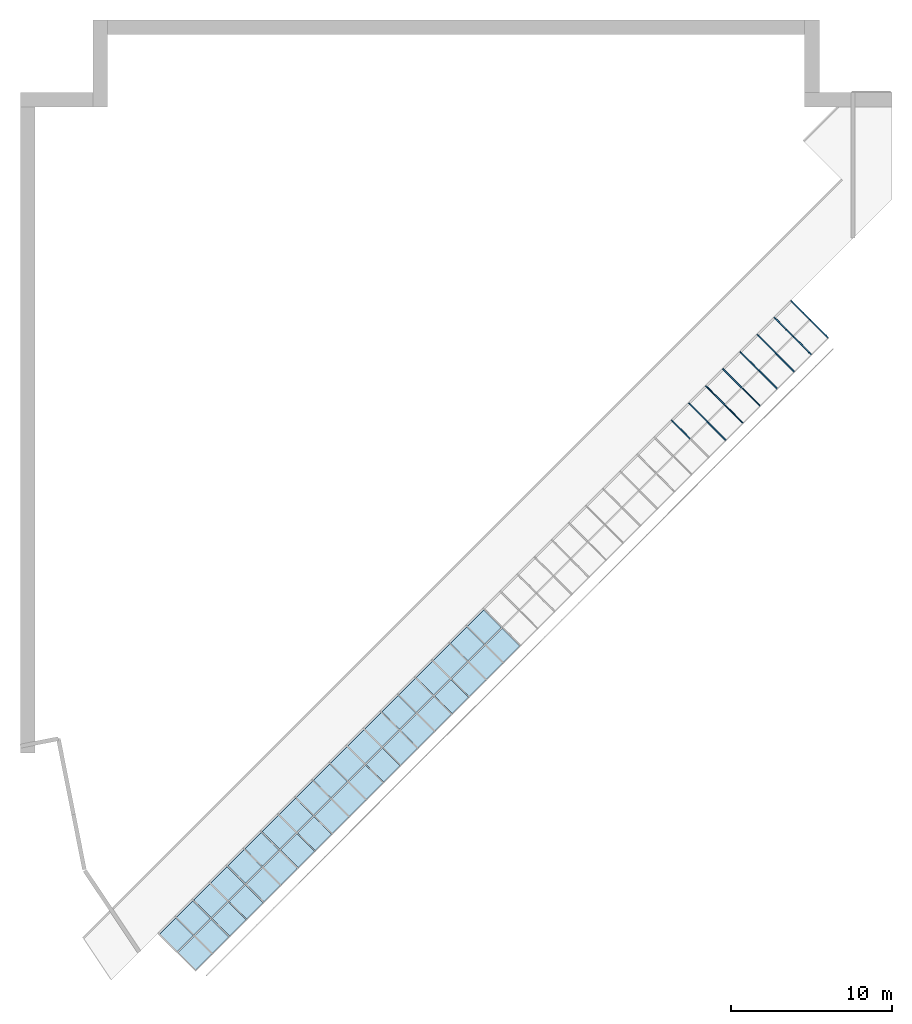
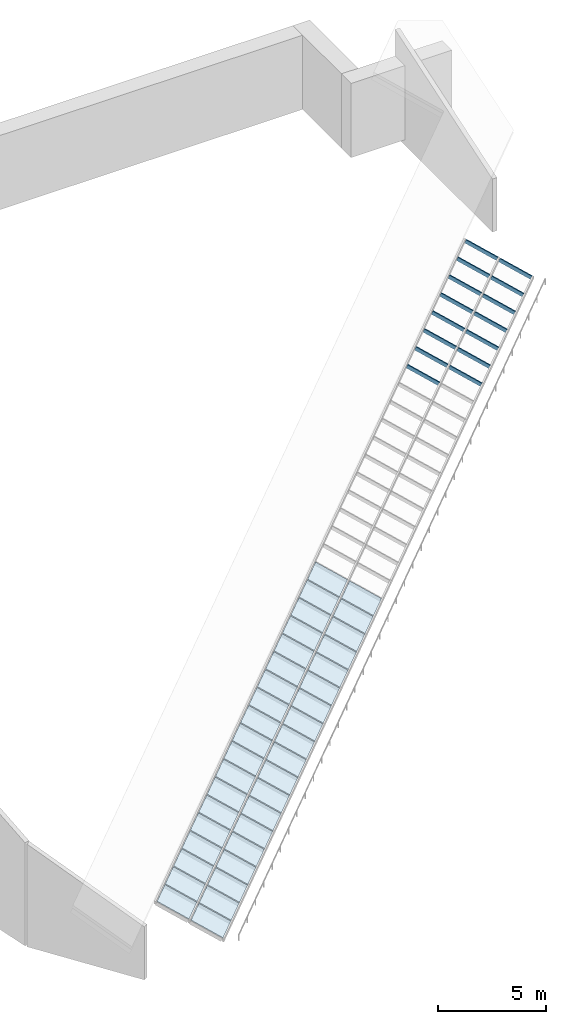
# One storey, part 2 of 4: 38 plates, 15 members, 1 element without a shape of its own.
"""IFC4 building model written with IfcOpenShell, lengths in metres."""

from ifc_helpers import new_model, si_unit, direction, frame, origin, origin_2d, place, context, subcontext, project, spatial, polyline, rectangle, outline, extrude, material, layer, layer_set, material_profile, profile_set, type_object, element, aggregate, save


model = new_model("IFC4")

# Units and contexts
model_context = context("Model", 3, precision=1e-05, world=origin(), true_north=direction((0.0, 1.0)))
body_context = subcontext(model_context, "Body", "Model", "MODEL_VIEW")
ifc_project = project(units=[si_unit("LENGTHUNIT", "METRE"), si_unit("AREAUNIT", "SQUARE_METRE"), si_unit("VOLUMEUNIT", "CUBIC_METRE"), si_unit("PLANEANGLEUNIT", "RADIAN"), si_unit("MASSUNIT", "GRAM", prefix="KILO")], contexts=[model_context])

# Site, building, storey
site_placement = place(None, origin())
site = spatial("IfcSite", under=ifc_project, at=site_placement, CompositionType="ELEMENT")
building_placement = place(site_placement, origin())
building = spatial("IfcBuilding", under=site, at=building_placement, Name="Hunhe Ridgeline Campus", CompositionType="ELEMENT")
storey_placement = place(building_placement, frame((0.0, 0.0, 311.39990234375)))
storey = spatial("IfcBuildingStorey", under=building, at=storey_placement, Name="L80 Crown", CompositionType="ELEMENT", Elevation=311.39990234375)

# Curtain wall, members, plates
ifc_material_1 = material(Name="Aluminium 6063", Category="aluminium")
curtain_wall_type = type_object("IfcCurtainWallType", Name="Curtain wall CW-6", PredefinedType="NOTDEFINED", material=ifc_material_1)
curtain_wall_placement = place(storey_placement, origin())
curtain_wall = element("IfcCurtainWall", 1, at=curtain_wall_placement, inside=storey, type_object=curtain_wall_type, Name="Rooflight 2", PredefinedType="NOTDEFINED")
ifc_material_profile = material_profile(ifc_material_1, rectangle(XDim=0.070068359375, YDim=0.199951171875, at=origin_2d()))
ifc_profile_set = profile_set([ifc_material_profile], Name="Aluminium 6063")
member_type = type_object("IfcMemberType", Name="CW-6 aluminium mullion", PredefinedType="MULLION", material=ifc_profile_set)
member_1_placement = place(storey_placement, frame((50.013916015625, 79.337158203125, 1.37109375), z_axis=(-0.639602149067, 0.639602149067, 0.426401432711), x_axis=(-0.707106781187, -0.707106781187, 0.0)))
member_1 = element("IfcMember", 2, at=member_1_placement, type_object=member_type, Name="E-L80 Crown-RL-02/M0-00", PredefinedType="MULLION", context=body_context, shape_type="SweptSolid", body=[
    extrude(rectangle(XDim=0.070068359375, YDim=0.199951171875, at=origin_2d()), origin(), (0.0, 0.0, 1.0), 1.693603515625),
])
member_2_placement = place(storey_placement, frame((48.97802734375, 78.301025390625, 1.37109375), z_axis=(-0.63954317933, 0.639687317978, 0.426362119554), x_axis=(-0.707186450701, -0.707027102695, 0.0)))
member_2 = element("IfcMember", 3, at=member_2_placement, type_object=member_type, Name="E-L80 Crown-RL-02/M0-01", PredefinedType="MULLION", context=body_context, shape_type="SweptSolid", body=[
    extrude(rectangle(XDim=0.070068359375, YDim=0.199951171875, at=origin_2d()), origin(), (0.0, 0.0, 1.0), 1.69384765625),
])
member_3_placement = place(storey_placement, frame((47.91748046875, 77.240478515625, 1.37109375), z_axis=(-0.639602149067, 0.639602149067, 0.426401432711), x_axis=(-0.707106781187, -0.707106781187, 0.0)))
member_3 = element("IfcMember", 4, at=member_3_placement, type_object=member_type, Name="E-L80 Crown-RL-02/M0-02", PredefinedType="MULLION", context=body_context, shape_type="SweptSolid", body=[
    extrude(rectangle(XDim=0.070068359375, YDim=0.199951171875, at=origin_2d()), origin(), (0.0, 0.0, 1.0), 1.693603515625),
])
member_4_placement = place(storey_placement, frame((46.856689453125, 76.179931640625, 1.37109375), z_axis=(-0.639602149067, 0.639602149067, 0.426401432711), x_axis=(-0.707106781187, -0.707106781187, 0.0)))
member_4 = element("IfcMember", 5, at=member_4_placement, type_object=member_type, Name="E-L80 Crown-RL-02/M0-03", PredefinedType="MULLION", context=body_context, shape_type="SweptSolid", body=[
    extrude(rectangle(XDim=0.070068359375, YDim=0.199951171875, at=origin_2d()), origin(), (0.0, 0.0, 1.0), 1.693603515625),
])
member_5_placement = place(storey_placement, frame((45.796142578125, 75.119140625, 1.37109375), z_axis=(-0.639602149067, 0.639602149067, 0.426401432711), x_axis=(-0.707106781187, -0.707106781187, 0.0)))
member_5 = element("IfcMember", 6, at=member_5_placement, type_object=member_type, Name="E-L80 Crown-RL-02/M0-04", PredefinedType="MULLION", context=body_context, shape_type="SweptSolid", body=[
    extrude(rectangle(XDim=0.070068359375, YDim=0.199951171875, at=origin_2d()), origin(), (0.0, 0.0, 1.0), 1.693603515625),
])
member_6_placement = place(storey_placement, frame((44.7353515625, 74.05859375, 1.37109375), z_axis=(-0.639602149067, 0.639602149067, 0.426401432711), x_axis=(-0.707106781187, -0.707106781187, 0.0)))
member_6 = element("IfcMember", 7, at=member_6_placement, type_object=member_type, Name="E-L80 Crown-RL-02/M0-05", PredefinedType="MULLION", context=body_context, shape_type="SweptSolid", body=[
    extrude(rectangle(XDim=0.070068359375, YDim=0.199951171875, at=origin_2d()), origin(), (0.0, 0.0, 1.0), 1.693603515625),
])
member_7_placement = place(storey_placement, frame((43.6748046875, 72.997802734375, 1.37109375), z_axis=(-0.639602149067, 0.639602149067, 0.426401432711), x_axis=(-0.707106781187, -0.707106781187, 0.0)))
member_7 = element("IfcMember", 8, at=member_7_placement, type_object=member_type, Name="E-L80 Crown-RL-02/M0-06", PredefinedType="MULLION", context=body_context, shape_type="SweptSolid", body=[
    extrude(rectangle(XDim=0.070068359375, YDim=0.199951171875, at=origin_2d()), origin(), (0.0, 0.0, 1.0), 1.693603515625),
])
member_8_placement = place(storey_placement, frame((48.860107421875, 80.490966796875, 2.140380859375), z_axis=(-0.639602149067, 0.639602149067, 0.426401432711), x_axis=(-0.707106781187, -0.707106781187, 0.0)))
member_8 = element("IfcMember", 9, at=member_8_placement, type_object=member_type, Name="E-L80 Crown-RL-02/M1-00", PredefinedType="MULLION", context=body_context, shape_type="SweptSolid", body=[
    extrude(rectangle(XDim=0.070068359375, YDim=0.199951171875, at=origin_2d()), origin(), (0.0, 0.0, 1.0), 1.693603515625),
])
member_9_placement = place(storey_placement, frame((47.82421875, 79.455078125, 2.140380859375), z_axis=(-0.639687317978, 0.63954317933, 0.426362119554), x_axis=(-0.707027102695, -0.707186450701, 0.0)))
member_9 = element("IfcMember", 10, at=member_9_placement, type_object=member_type, Name="E-L80 Crown-RL-02/M1-01", PredefinedType="MULLION", context=body_context, shape_type="SweptSolid", body=[
    extrude(rectangle(XDim=0.070068359375, YDim=0.199951171875, at=origin_2d()), origin(), (0.0, 0.0, 1.0), 1.69384765625),
])
member_10_placement = place(storey_placement, frame((46.763427734375, 78.39453125, 2.140380859375), z_axis=(-0.639602149067, 0.639602149067, 0.426401432711), x_axis=(-0.707106781187, -0.707106781187, 0.0)))
member_10 = element("IfcMember", 11, at=member_10_placement, type_object=member_type, Name="E-L80 Crown-RL-02/M1-02", PredefinedType="MULLION", context=body_context, shape_type="SweptSolid", body=[
    extrude(rectangle(XDim=0.070068359375, YDim=0.199951171875, at=origin_2d()), origin(), (0.0, 0.0, 1.0), 1.693603515625),
])
member_11_placement = place(storey_placement, frame((45.702880859375, 77.333740234375, 2.140380859375), z_axis=(-0.639602149067, 0.639602149067, 0.426401432711), x_axis=(-0.707106781187, -0.707106781187, 0.0)))
member_11 = element("IfcMember", 12, at=member_11_placement, type_object=member_type, Name="E-L80 Crown-RL-02/M1-03", PredefinedType="MULLION", context=body_context, shape_type="SweptSolid", body=[
    extrude(rectangle(XDim=0.070068359375, YDim=0.199951171875, at=origin_2d()), origin(), (0.0, 0.0, 1.0), 1.693603515625),
])
member_12_placement = place(storey_placement, frame((44.64208984375, 76.273193359375, 2.140380859375), z_axis=(-0.639602149067, 0.639602149067, 0.426401432711), x_axis=(-0.707106781187, -0.707106781187, 0.0)))
member_12 = element("IfcMember", 13, at=member_12_placement, type_object=member_type, Name="E-L80 Crown-RL-02/M1-04", PredefinedType="MULLION", context=body_context, shape_type="SweptSolid", body=[
    extrude(rectangle(XDim=0.070068359375, YDim=0.199951171875, at=origin_2d()), origin(), (0.0, 0.0, 1.0), 1.693603515625),
])
member_13_placement = place(storey_placement, frame((43.58154296875, 75.21240234375, 2.140380859375), z_axis=(-0.639602149067, 0.639602149067, 0.426401432711), x_axis=(-0.707106781187, -0.707106781187, 0.0)))
member_13 = element("IfcMember", 14, at=member_13_placement, type_object=member_type, Name="E-L80 Crown-RL-02/M1-05", PredefinedType="MULLION", context=body_context, shape_type="SweptSolid", body=[
    extrude(rectangle(XDim=0.070068359375, YDim=0.199951171875, at=origin_2d()), origin(), (0.0, 0.0, 1.0), 1.693603515625),
])
member_14_placement = place(storey_placement, frame((42.520751953125, 74.15185546875, 2.140380859375), z_axis=(-0.639602149067, 0.639602149067, 0.426401432711), x_axis=(-0.707106781187, -0.707106781187, 0.0)))
member_14 = element("IfcMember", 15, at=member_14_placement, type_object=member_type, Name="E-L80 Crown-RL-02/M1-06", PredefinedType="MULLION", context=body_context, shape_type="SweptSolid", body=[
    extrude(rectangle(XDim=0.070068359375, YDim=0.199951171875, at=origin_2d()), origin(), (0.0, 0.0, 1.0), 1.693603515625),
])
member_15_placement = place(storey_placement, frame((41.460205078125, 73.091064453125, 2.140380859375), z_axis=(-0.639602149067, 0.639602149067, 0.426401432711), x_axis=(-0.707106781187, -0.707106781187, 0.0)))
member_15 = element("IfcMember", 16, at=member_15_placement, type_object=member_type, Name="E-L80 Crown-RL-02/M1-07", PredefinedType="MULLION", context=body_context, shape_type="SweptSolid", body=[
    extrude(rectangle(XDim=0.070068359375, YDim=0.199951171875, at=origin_2d()), origin(), (0.0, 0.0, 1.0), 1.693603515625),
])
ifc_material_2 = material(Name="Low-e laminated glass", Category="glass")
ifc_layer = layer(ifc_material_2, 0.0400390625)
ifc_layer_set = layer_set([ifc_layer], Name="Rooflight glass panel 40 low-e laminated")
plate_type = type_object("IfcPlateType", Name="Rooflight glass panel 40 low-e laminated", PredefinedType="CURTAIN_PANEL", material=ifc_layer_set)
plate_1_placement = place(storey_placement, frame((30.9521484375, 60.215087890625, 1.46142578125), z_axis=(0.301547745403, -0.301474942954, 0.904534032535), x_axis=(-0.639602149067, 0.639602149067, 0.426401432711)))
plate_1 = element("IfcPlate", 17, at=plate_1_placement, type_object=plate_type, Name="Rooflight panel 1.19", PredefinedType="CURTAIN_PANEL", context=body_context, shape_type="SweptSolid", body=[
    extrude(outline(polyline([(0.0, 0.0), (1.6936340109323371, 3.6469850576981155e-17), (1.6934778580639125, 1.4299232119943703), (-0.00015615286842451948, 1.4299232119943701), (0.0, 0.0)])), origin(), (0.0, 0.0, -1.0), 0.0400390625),
])
plate_2_placement = place(storey_placement, frame((29.8916015625, 59.154296875, 1.46142578125), z_axis=(0.301474942954, -0.301547745403, 0.904534032535), x_axis=(-0.639602149067, 0.639602149067, 0.426401432711)))
plate_2 = element("IfcPlate", 18, at=plate_2_placement, type_object=plate_type, Name="Rooflight panel 1.20", PredefinedType="CURTAIN_PANEL", context=body_context, shape_type="SweptSolid", body=[
    extrude(outline(polyline([(0.0, 0.0), (1.6936340109323371, -3.6469850576981155e-17), (1.6937901638007615, 1.4299232119943701), (0.00015615286842451948, 1.4299232119943701), (0.0, 0.0)])), origin(), (0.0, 0.0, -1.0), 0.0400390625),
])
plate_3_placement = place(storey_placement, frame((28.8310546875, 58.09375, 1.46142578125), z_axis=(0.301515643227, -0.301479245877, 0.90454329979), x_axis=(-0.639680766185, 0.639536628329, 0.426381775406)))
plate_3 = element("IfcPlate", 19, at=plate_3_placement, type_object=plate_type, Name="Rooflight panel 1.21", PredefinedType="CURTAIN_PANEL", context=body_context, shape_type="SweptSolid", body=[
    extrude(outline(polyline([(0.0, 0.0), (1.6937901737979375, 9.269928574751063e-17), (1.6937797583282785, 1.4299232200089778), (0.0001457565923979054, 1.430095835689698), (0.0, 0.0)])), origin(), (0.0, 0.0, -1.0), 0.0400390625),
])
plate_4_placement = place(storey_placement, frame((27.770263671875, 57.032958984375, 1.46142578125), z_axis=(0.301474942954, -0.301547745403, 0.904534032535), x_axis=(-0.639602149067, 0.639602149067, 0.426401432711)))
plate_4 = element("IfcPlate", 20, at=plate_4_placement, type_object=plate_type, Name="Rooflight panel 1.22", PredefinedType="CURTAIN_PANEL", context=body_context, shape_type="SweptSolid", body=[
    extrude(outline(polyline([(0.0, 0.0), (1.6936340109323371, -3.6469850576981155e-17), (1.6937901638007615, 1.4299232119943701), (0.00015615286842451948, 1.4299232119943701), (0.0, 0.0)])), origin(), (0.0, 0.0, -1.0), 0.0400390625),
])
plate_5_placement = place(storey_placement, frame((26.709716796875, 55.972412109375, 1.46142578125), z_axis=(0.301511344578, -0.301511344578, 0.904534033733), x_axis=(-0.639602149067, 0.639602149067, 0.426401432711)))
plate_5 = element("IfcPlate", 21, at=plate_5_placement, type_object=plate_type, Name="Rooflight panel 1.23", PredefinedType="CURTAIN_PANEL", context=body_context, shape_type="SweptSolid", body=[
    extrude(outline(polyline([(0.0, 0.0), (1.6936340109323371, 0.0), (1.693634010932337, 1.4300958435911524), (0.0, 1.4300958435911524), (0.0, 0.0)])), origin(), (0.0, 0.0, -1.0), 0.0400390625),
])
plate_6_placement = place(storey_placement, frame((25.64892578125, 54.91162109375, 1.46142578125), z_axis=(0.301474942954, -0.301547745403, 0.904534032535), x_axis=(-0.639602149067, 0.639602149067, 0.426401432711)))
plate_6 = element("IfcPlate", 22, at=plate_6_placement, type_object=plate_type, Name="Rooflight panel 1.24", PredefinedType="CURTAIN_PANEL", context=body_context, shape_type="SweptSolid", body=[
    extrude(outline(polyline([(0.0, 0.0), (1.6936340109323371, -3.6469850576981155e-17), (1.6937901638007615, 1.4299232119943701), (0.00015615286842451948, 1.4299232119943701), (0.0, 0.0)])), origin(), (0.0, 0.0, -1.0), 0.0400390625),
])
plate_7_placement = place(storey_placement, frame((24.58837890625, 53.85107421875, 1.46142578125), z_axis=(0.301511344578, -0.301511344578, 0.904534033733), x_axis=(-0.639602149067, 0.639602149067, 0.426401432711)))
plate_7 = element("IfcPlate", 23, at=plate_7_placement, type_object=plate_type, Name="Rooflight panel 1.25", PredefinedType="CURTAIN_PANEL", context=body_context, shape_type="SweptSolid", body=[
    extrude(outline(polyline([(0.0, 0.0), (1.6936340109323371, 0.0), (1.693634010932337, 1.4300958435911524), (0.0, 1.4300958435911524), (0.0, 0.0)])), origin(), (0.0, 0.0, -1.0), 0.0400390625),
])
plate_8_placement = place(storey_placement, frame((23.527587890625, 52.790283203125, 1.46142578125), z_axis=(0.301483547543, -0.301483547543, 0.904552564046), x_axis=(-0.63954317933, 0.639687317978, 0.426362119554)))
plate_8 = element("IfcPlate", 24, at=plate_8_placement, type_object=plate_type, Name="Rooflight panel 1.26", PredefinedType="CURTAIN_PANEL", context=body_context, shape_type="SweptSolid", body=[
    extrude(outline(polyline([(0.0, 0.0), (1.6937901741978365, -3.077778917143226e-17), (1.6936444168056752, 1.4300958361632525), (-0.00014572220206188202, 1.4297505691820445), (0.0, 0.0)])), origin(), (0.0, 0.0, -1.0), 0.0400390625),
])
plate_9_placement = place(storey_placement, frame((22.467041015625, 51.729736328125, 1.46142578125), z_axis=(0.301511344578, -0.301511344578, 0.904534033733), x_axis=(-0.639602149067, 0.639602149067, 0.426401432711)))
plate_9 = element("IfcPlate", 25, at=plate_9_placement, type_object=plate_type, Name="Rooflight panel 1.27", PredefinedType="CURTAIN_PANEL", context=body_context, shape_type="SweptSolid", body=[
    extrude(outline(polyline([(0.0, 0.0), (1.6936340109323371, 0.0), (1.693634010932337, 1.4300958435911524), (0.0, 1.4300958435911524), (0.0, 0.0)])), origin(), (0.0, 0.0, -1.0), 0.0400390625),
])
plate_10_placement = place(storey_placement, frame((21.40625, 50.669189453125, 1.46142578125), z_axis=(0.301547745403, -0.301474942954, 0.904534032535), x_axis=(-0.639602149067, 0.639602149067, 0.426401432711)))
plate_10 = element("IfcPlate", 26, at=plate_10_placement, type_object=plate_type, Name="Rooflight panel 1.28", PredefinedType="CURTAIN_PANEL", context=body_context, shape_type="SweptSolid", body=[
    extrude(outline(polyline([(0.0, 0.0), (1.6936340109323371, 3.6469850576981155e-17), (1.6934778580639125, 1.4299232119943703), (-0.00015615286842451948, 1.4299232119943701), (0.0, 0.0)])), origin(), (0.0, 0.0, -1.0), 0.0400390625),
])
plate_11_placement = place(storey_placement, frame((20.345703125, 49.6083984375, 1.46142578125), z_axis=(0.301511344578, -0.301511344578, 0.904534033733), x_axis=(-0.639602149067, 0.639602149067, 0.426401432711)))
plate_11 = element("IfcPlate", 27, at=plate_11_placement, type_object=plate_type, Name="Rooflight panel 1.29", PredefinedType="CURTAIN_PANEL", context=body_context, shape_type="SweptSolid", body=[
    extrude(outline(polyline([(0.0, 0.0), (1.6936340109323371, 0.0), (1.693634010932337, 1.4300958435911524), (0.0, 1.4300958435911524), (0.0, 0.0)])), origin(), (0.0, 0.0, -1.0), 0.0400390625),
])
plate_12_placement = place(storey_placement, frame((19.284912109375, 48.5478515625, 1.46142578125), z_axis=(0.301547745403, -0.301474942954, 0.904534032535), x_axis=(-0.639602149067, 0.639602149067, 0.426401432711)))
plate_12 = element("IfcPlate", 28, at=plate_12_placement, type_object=plate_type, Name="Rooflight panel 1.30", PredefinedType="CURTAIN_PANEL", context=body_context, shape_type="SweptSolid", body=[
    extrude(outline(polyline([(0.0, 0.0), (1.6936340109323371, 3.6469850576981155e-17), (1.6934778580639125, 1.4299232119943703), (-0.00015615286842451948, 1.4299232119943701), (0.0, 0.0)])), origin(), (0.0, 0.0, -1.0), 0.0400390625),
])
plate_13_placement = place(storey_placement, frame((18.224365234375, 47.487060546875, 1.46142578125), z_axis=(0.301511344578, -0.301511344578, 0.904534033733), x_axis=(-0.639602149067, 0.639602149067, 0.426401432711)))
plate_13 = element("IfcPlate", 29, at=plate_13_placement, type_object=plate_type, Name="Rooflight panel 1.31", PredefinedType="CURTAIN_PANEL", context=body_context, shape_type="SweptSolid", body=[
    extrude(outline(polyline([(0.0, 0.0), (1.6936340109323371, 0.0), (1.693634010932337, 1.4300958435911524), (0.0, 1.4300958435911524), (0.0, 0.0)])), origin(), (0.0, 0.0, -1.0), 0.0400390625),
])
plate_14_placement = place(storey_placement, frame((17.16357421875, 46.426513671875, 1.46142578125), z_axis=(0.301547745403, -0.301474942954, 0.904534032535), x_axis=(-0.639602149067, 0.639602149067, 0.426401432711)))
plate_14 = element("IfcPlate", 30, at=plate_14_placement, type_object=plate_type, Name="Rooflight panel 1.32", PredefinedType="CURTAIN_PANEL", context=body_context, shape_type="SweptSolid", body=[
    extrude(outline(polyline([(0.0, 0.0), (1.6936340109323371, 3.6469850576981155e-17), (1.6934778580639125, 1.4299232119943703), (-0.00015615286842451948, 1.4299232119943701), (0.0, 0.0)])), origin(), (0.0, 0.0, -1.0), 0.0400390625),
])
plate_15_placement = place(storey_placement, frame((16.10302734375, 45.36572265625, 1.46142578125), z_axis=(0.301479245877, -0.301515643227, 0.90454329979), x_axis=(-0.639608700975, 0.639608701766, 0.426381775248)))
plate_15 = element("IfcPlate", 31, at=plate_15_placement, type_object=plate_type, Name="Rooflight panel 1.33", PredefinedType="CURTAIN_PANEL", context=body_context, shape_type="SweptSolid", body=[
    extrude(outline(polyline([(0.0, 0.0), (1.6936340105324015, -2.110128478199913e-17), (1.6937901642007342, 1.4299232115205895), (-7.998715023660452e-10, 1.4300958431175164), (0.0, 0.0)])), origin(), (0.0, 0.0, -1.0), 0.0400390625),
])
plate_16_placement = place(storey_placement, frame((15.04248046875, 44.30517578125, 1.46142578125), z_axis=(0.301515643227, -0.301479245877, 0.90454329979), x_axis=(-0.639680766185, 0.639536628329, 0.426381775406)))
plate_16 = element("IfcPlate", 32, at=plate_16_placement, type_object=plate_type, Name="Rooflight panel 1.34", PredefinedType="CURTAIN_PANEL", context=body_context, shape_type="SweptSolid", body=[
    extrude(outline(polyline([(0.0, 0.0), (1.6937901737979375, 9.269928574751063e-17), (1.6937797583282785, 1.4299232200089778), (0.0001457565923979054, 1.430095835689698), (0.0, 0.0)])), origin(), (0.0, 0.0, -1.0), 0.0400390625),
])
plate_17_placement = place(storey_placement, frame((13.981689453125, 43.244384765625, 1.46142578125), z_axis=(0.301474942954, -0.301547745403, 0.904534032535), x_axis=(-0.639602149067, 0.639602149067, 0.426401432711)))
plate_17 = element("IfcPlate", 33, at=plate_17_placement, type_object=plate_type, Name="Rooflight panel 1.35", PredefinedType="CURTAIN_PANEL", context=body_context, shape_type="SweptSolid", body=[
    extrude(outline(polyline([(0.0, 0.0), (1.6936340109323371, -3.6469850576981155e-17), (1.6937901638007615, 1.4299232119943701), (0.00015615286842451948, 1.4299232119943701), (0.0, 0.0)])), origin(), (0.0, 0.0, -1.0), 0.0400390625),
])
plate_18_placement = place(storey_placement, frame((12.921142578125, 42.183837890625, 1.46142578125), z_axis=(0.301511344578, -0.301511344578, 0.904534033733), x_axis=(-0.639602149067, 0.639602149067, 0.426401432711)))
plate_18 = element("IfcPlate", 34, at=plate_18_placement, type_object=plate_type, Name="Rooflight panel 1.36", PredefinedType="CURTAIN_PANEL", context=body_context, shape_type="SweptSolid", body=[
    extrude(outline(polyline([(0.0, 0.0), (1.6936340109323371, 0.0), (1.693634010932337, 1.4300958435911524), (0.0, 1.4300958435911524), (0.0, 0.0)])), origin(), (0.0, 0.0, -1.0), 0.0400390625),
])
plate_19_placement = place(storey_placement, frame((11.8603515625, 41.123046875, 1.46142578125), z_axis=(0.301511344578, -0.301511344578, 0.904534033733), x_axis=(-0.639602149067, 0.639602149067, 0.426401432711)))
plate_19 = element("IfcPlate", 35, at=plate_19_placement, type_object=plate_type, Name="Rooflight panel 1.37", PredefinedType="CURTAIN_PANEL", context=body_context, shape_type="SweptSolid", body=[
    extrude(outline(polyline([(0.0, 0.0), (1.6936340109323371, 0.0), (1.693634010932337, 1.3948786113250256), (0.0, 1.3948786113250256), (0.0, 0.0)])), origin(), (0.0, 0.0, -1.0), 0.0400390625),
])
plate_20_placement = place(storey_placement, frame((29.79833984375, 61.368896484375, 2.230712890625), z_axis=(0.301474942954, -0.301547745403, 0.904534032535), x_axis=(-0.639602149067, 0.639602149067, 0.426401432711)))
plate_20 = element("IfcPlate", 36, at=plate_20_placement, type_object=plate_type, Name="Rooflight panel 2.19", PredefinedType="CURTAIN_PANEL", context=body_context, shape_type="SweptSolid", body=[
    extrude(outline(polyline([(0.0, 0.0), (1.6936340109323371, -3.6469850576981155e-17), (1.6937901638007615, 1.4299232119943701), (0.00015615286842451948, 1.4299232119943701), (0.0, 0.0)])), origin(), (0.0, 0.0, -1.0), 0.0400390625),
])
plate_21_placement = place(storey_placement, frame((28.737548828125, 60.308349609375, 2.230712890625), z_axis=(0.301547745403, -0.301474942954, 0.904534032535), x_axis=(-0.639602149067, 0.639602149067, 0.426401432711)))
plate_21 = element("IfcPlate", 37, at=plate_21_placement, type_object=plate_type, Name="Rooflight panel 2.20", PredefinedType="CURTAIN_PANEL", context=body_context, shape_type="SweptSolid", body=[
    extrude(outline(polyline([(0.0, 0.0), (1.6936340109323371, 3.6469850576981155e-17), (1.6934778580639125, 1.4299232119943703), (-0.00015615286842451948, 1.4299232119943701), (0.0, 0.0)])), origin(), (0.0, 0.0, -1.0), 0.0400390625),
])
plate_22_placement = place(storey_placement, frame((27.677001953125, 59.24755859375, 2.230712890625), z_axis=(0.301479245877, -0.301515643227, 0.90454329979), x_axis=(-0.639536628329, 0.639680766185, 0.426381775406)))
plate_22 = element("IfcPlate", 38, at=plate_22_placement, type_object=plate_type, Name="Rooflight panel 2.21", PredefinedType="CURTAIN_PANEL", context=body_context, shape_type="SweptSolid", body=[
    extrude(outline(polyline([(0.0, 0.0), (1.6937901737979375, -9.269928574751063e-17), (1.6936444172055396, 1.4300958356896978), (1.041546965907525e-05, 1.4299232200089778), (0.0, 0.0)])), origin(), (0.0, 0.0, -1.0), 0.0400390625),
])
plate_23_placement = place(storey_placement, frame((26.6162109375, 58.18701171875, 2.230712890625), z_axis=(0.301547745403, -0.301474942954, 0.904534032535), x_axis=(-0.639602149067, 0.639602149067, 0.426401432711)))
plate_23 = element("IfcPlate", 39, at=plate_23_placement, type_object=plate_type, Name="Rooflight panel 2.22", PredefinedType="CURTAIN_PANEL", context=body_context, shape_type="SweptSolid", body=[
    extrude(outline(polyline([(0.0, 0.0), (1.6936340109323371, 3.6469850576981155e-17), (1.6934778580639125, 1.4299232119943703), (-0.00015615286842451948, 1.4299232119943701), (0.0, 0.0)])), origin(), (0.0, 0.0, -1.0), 0.0400390625),
])
plate_24_placement = place(storey_placement, frame((25.5556640625, 57.12646484375, 2.230712890625), z_axis=(0.301511344578, -0.301511344578, 0.904534033733), x_axis=(-0.639602149067, 0.639602149067, 0.426401432711)))
plate_24 = element("IfcPlate", 40, at=plate_24_placement, type_object=plate_type, Name="Rooflight panel 2.23", PredefinedType="CURTAIN_PANEL", context=body_context, shape_type="SweptSolid", body=[
    extrude(outline(polyline([(0.0, 0.0), (1.6936340109323371, 0.0), (1.693634010932337, 1.4300958435911524), (0.0, 1.4300958435911524), (0.0, 0.0)])), origin(), (0.0, 0.0, -1.0), 0.0400390625),
])
plate_25_placement = place(storey_placement, frame((24.494873046875, 56.065673828125, 2.230712890625), z_axis=(0.301547745403, -0.301474942954, 0.904534032535), x_axis=(-0.639602149067, 0.639602149067, 0.426401432711)))
plate_25 = element("IfcPlate", 41, at=plate_25_placement, type_object=plate_type, Name="Rooflight panel 2.24", PredefinedType="CURTAIN_PANEL", context=body_context, shape_type="SweptSolid", body=[
    extrude(outline(polyline([(0.0, 0.0), (1.6936340109323371, 3.6469850576981155e-17), (1.6934778580639125, 1.4299232119943703), (-0.00015615286842451948, 1.4299232119943701), (0.0, 0.0)])), origin(), (0.0, 0.0, -1.0), 0.0400390625),
])
plate_26_placement = place(storey_placement, frame((23.434326171875, 55.005126953125, 2.230712890625), z_axis=(0.301511344578, -0.301511344578, 0.904534033733), x_axis=(-0.639602149067, 0.639602149067, 0.426401432711)))
plate_26 = element("IfcPlate", 42, at=plate_26_placement, type_object=plate_type, Name="Rooflight panel 2.25", PredefinedType="CURTAIN_PANEL", context=body_context, shape_type="SweptSolid", body=[
    extrude(outline(polyline([(0.0, 0.0), (1.6936340109323371, 0.0), (1.693634010932337, 1.4300958435911524), (0.0, 1.4300958435911524), (0.0, 0.0)])), origin(), (0.0, 0.0, -1.0), 0.0400390625),
])
plate_27_placement = place(storey_placement, frame((22.373779296875, 53.9443359375, 2.230712890625), z_axis=(0.301483547543, -0.301483547543, 0.904552564046), x_axis=(-0.639687317978, 0.63954317933, 0.426362119554)))
plate_27 = element("IfcPlate", 43, at=plate_27_placement, type_object=plate_type, Name="Rooflight panel 2.26", PredefinedType="CURTAIN_PANEL", context=body_context, shape_type="SweptSolid", body=[
    extrude(outline(polyline([(0.0, 0.0), (1.6937901741978365, 3.077778917143226e-17), (1.6939358963998983, 1.4297505691820447), (0.00014575739216138306, 1.4300958361632525), (0.0, 0.0)])), origin(), (0.0, 0.0, -1.0), 0.0400390625),
])
plate_28_placement = place(storey_placement, frame((21.31298828125, 52.8837890625, 2.230712890625), z_axis=(0.301511344578, -0.301511344578, 0.904534033733), x_axis=(-0.639602149067, 0.639602149067, 0.426401432711)))
plate_28 = element("IfcPlate", 44, at=plate_28_placement, type_object=plate_type, Name="Rooflight panel 2.27", PredefinedType="CURTAIN_PANEL", context=body_context, shape_type="SweptSolid", body=[
    extrude(outline(polyline([(0.0, 0.0), (1.6936340109323371, 0.0), (1.693634010932337, 1.4300958435911524), (0.0, 1.4300958435911524), (0.0, 0.0)])), origin(), (0.0, 0.0, -1.0), 0.0400390625),
])
plate_29_placement = place(storey_placement, frame((20.25244140625, 51.822998046875, 2.230712890625), z_axis=(0.301474942954, -0.301547745403, 0.904534032535), x_axis=(-0.639602149067, 0.639602149067, 0.426401432711)))
plate_29 = element("IfcPlate", 45, at=plate_29_placement, type_object=plate_type, Name="Rooflight panel 2.28", PredefinedType="CURTAIN_PANEL", context=body_context, shape_type="SweptSolid", body=[
    extrude(outline(polyline([(0.0, 0.0), (1.6936340109323371, -3.6469850576981155e-17), (1.6937901638007615, 1.4299232119943701), (0.00015615286842451948, 1.4299232119943701), (0.0, 0.0)])), origin(), (0.0, 0.0, -1.0), 0.0400390625),
])
plate_30_placement = place(storey_placement, frame((19.191650390625, 50.762451171875, 2.230712890625), z_axis=(0.301511344578, -0.301511344578, 0.904534033733), x_axis=(-0.639602149067, 0.639602149067, 0.426401432711)))
plate_30 = element("IfcPlate", 46, at=plate_30_placement, type_object=plate_type, Name="Rooflight panel 2.29", PredefinedType="CURTAIN_PANEL", context=body_context, shape_type="SweptSolid", body=[
    extrude(outline(polyline([(0.0, 0.0), (1.6936340109323371, 0.0), (1.693634010932337, 1.4300958435911524), (0.0, 1.4300958435911524), (0.0, 0.0)])), origin(), (0.0, 0.0, -1.0), 0.0400390625),
])
plate_31_placement = place(storey_placement, frame((18.131103515625, 49.70166015625, 2.230712890625), z_axis=(0.301474942954, -0.301547745403, 0.904534032535), x_axis=(-0.639602149067, 0.639602149067, 0.426401432711)))
plate_31 = element("IfcPlate", 47, at=plate_31_placement, type_object=plate_type, Name="Rooflight panel 2.30", PredefinedType="CURTAIN_PANEL", context=body_context, shape_type="SweptSolid", body=[
    extrude(outline(polyline([(0.0, 0.0), (1.6936340109323371, -3.6469850576981155e-17), (1.6937901638007615, 1.4299232119943701), (0.00015615286842451948, 1.4299232119943701), (0.0, 0.0)])), origin(), (0.0, 0.0, -1.0), 0.0400390625),
])
plate_32_placement = place(storey_placement, frame((17.0703125, 48.64111328125, 2.230712890625), z_axis=(0.301511344578, -0.301511344578, 0.904534033733), x_axis=(-0.639602149067, 0.639602149067, 0.426401432711)))
plate_32 = element("IfcPlate", 48, at=plate_32_placement, type_object=plate_type, Name="Rooflight panel 2.31", PredefinedType="CURTAIN_PANEL", context=body_context, shape_type="SweptSolid", body=[
    extrude(outline(polyline([(0.0, 0.0), (1.6936340109323371, 0.0), (1.693634010932337, 1.4300958435911524), (0.0, 1.4300958435911524), (0.0, 0.0)])), origin(), (0.0, 0.0, -1.0), 0.0400390625),
])
plate_33_placement = place(storey_placement, frame((16.009765625, 47.580322265625, 2.230712890625), z_axis=(0.301474942954, -0.301547745403, 0.904534032535), x_axis=(-0.639602149067, 0.639602149067, 0.426401432711)))
plate_33 = element("IfcPlate", 49, at=plate_33_placement, type_object=plate_type, Name="Rooflight panel 2.32", PredefinedType="CURTAIN_PANEL", context=body_context, shape_type="SweptSolid", body=[
    extrude(outline(polyline([(0.0, 0.0), (1.6936340109323371, -3.6469850576981155e-17), (1.6937901638007615, 1.4299232119943701), (0.00015615286842451948, 1.4299232119943701), (0.0, 0.0)])), origin(), (0.0, 0.0, -1.0), 0.0400390625),
])
plate_34_placement = place(storey_placement, frame((14.948974609375, 46.519775390625, 2.230712890625), z_axis=(0.301515643227, -0.301479245877, 0.90454329979), x_axis=(-0.639608701766, 0.639608700975, 0.426381775248)))
plate_34 = element("IfcPlate", 50, at=plate_34_placement, type_object=plate_type, Name="Rooflight panel 2.33", PredefinedType="CURTAIN_PANEL", context=body_context, shape_type="SweptSolid", body=[
    extrude(outline(polyline([(0.0, 0.0), (1.6936340105324015, 2.110128478199913e-17), (1.6936340113322728, 1.4300958431175164), (-0.00015615366833288125, 1.4299232115205898), (0.0, 0.0)])), origin(), (0.0, 0.0, -1.0), 0.0400390625),
])
plate_35_placement = place(storey_placement, frame((13.888427734375, 45.458984375, 2.230712890625), z_axis=(0.301479245877, -0.301515643227, 0.90454329979), x_axis=(-0.639536628329, 0.639680766185, 0.426381775406)))
plate_35 = element("IfcPlate", 51, at=plate_35_placement, type_object=plate_type, Name="Rooflight panel 2.34", PredefinedType="CURTAIN_PANEL", context=body_context, shape_type="SweptSolid", body=[
    extrude(outline(polyline([(0.0, 0.0), (1.6937901737979375, -9.269928574751063e-17), (1.6936444172055396, 1.4300958356896978), (1.041546965907525e-05, 1.4299232200089778), (0.0, 0.0)])), origin(), (0.0, 0.0, -1.0), 0.0400390625),
])
plate_36_placement = place(storey_placement, frame((12.82763671875, 44.3984375, 2.230712890625), z_axis=(0.301547745403, -0.301474942954, 0.904534032535), x_axis=(-0.639602149067, 0.639602149067, 0.426401432711)))
plate_36 = element("IfcPlate", 52, at=plate_36_placement, type_object=plate_type, Name="Rooflight panel 2.35", PredefinedType="CURTAIN_PANEL", context=body_context, shape_type="SweptSolid", body=[
    extrude(outline(polyline([(0.0, 0.0), (1.6936340109323371, 3.6469850576981155e-17), (1.6934778580639125, 1.4299232119943703), (-0.00015615286842451948, 1.4299232119943701), (0.0, 0.0)])), origin(), (0.0, 0.0, -1.0), 0.0400390625),
])
plate_37_placement = place(storey_placement, frame((11.76708984375, 43.337890625, 2.230712890625), z_axis=(0.301511344578, -0.301511344578, 0.904534033733), x_axis=(-0.639602149067, 0.639602149067, 0.426401432711)))
plate_37 = element("IfcPlate", 53, at=plate_37_placement, type_object=plate_type, Name="Rooflight panel 2.36", PredefinedType="CURTAIN_PANEL", context=body_context, shape_type="SweptSolid", body=[
    extrude(outline(polyline([(0.0, 0.0), (1.6936340109323371, 0.0), (1.693634010932337, 1.4300958435911524), (0.0, 1.4300958435911524), (0.0, 0.0)])), origin(), (0.0, 0.0, -1.0), 0.0400390625),
])
plate_38_placement = place(storey_placement, frame((10.706298828125, 42.277099609375, 2.230712890625), z_axis=(0.301511344578, -0.301511344578, 0.904534033733), x_axis=(-0.639602149067, 0.639602149067, 0.426401432711)))
plate_38 = element("IfcPlate", 54, at=plate_38_placement, type_object=plate_type, Name="Rooflight panel 2.37", PredefinedType="CURTAIN_PANEL", context=body_context, shape_type="SweptSolid", body=[
    extrude(outline(polyline([(0.0, 0.0), (1.6936340109323371, 0.0), (1.693634010932337, 1.3948786113250256), (0.0, 1.3948786113250256), (0.0, 0.0)])), origin(), (0.0, 0.0, -1.0), 0.0400390625),
])
aggregate(curtain_wall, [member_1, member_2, member_3, member_4, member_5, member_6, member_7, plate_1, plate_2, plate_3, plate_4, plate_5, plate_6, plate_7, plate_8, plate_9, plate_10, plate_11, plate_12, plate_13, plate_14, plate_15, plate_16, plate_17, plate_18, plate_19, member_8, member_9, member_10, member_11, member_12, member_13, member_14, member_15, plate_20, plate_21, plate_22, plate_23, plate_24, plate_25, plate_26, plate_27, plate_28, plate_29, plate_30, plate_31, plate_32, plate_33, plate_34, plate_35, plate_36, plate_37, plate_38])

save(model, "model.ifc")
